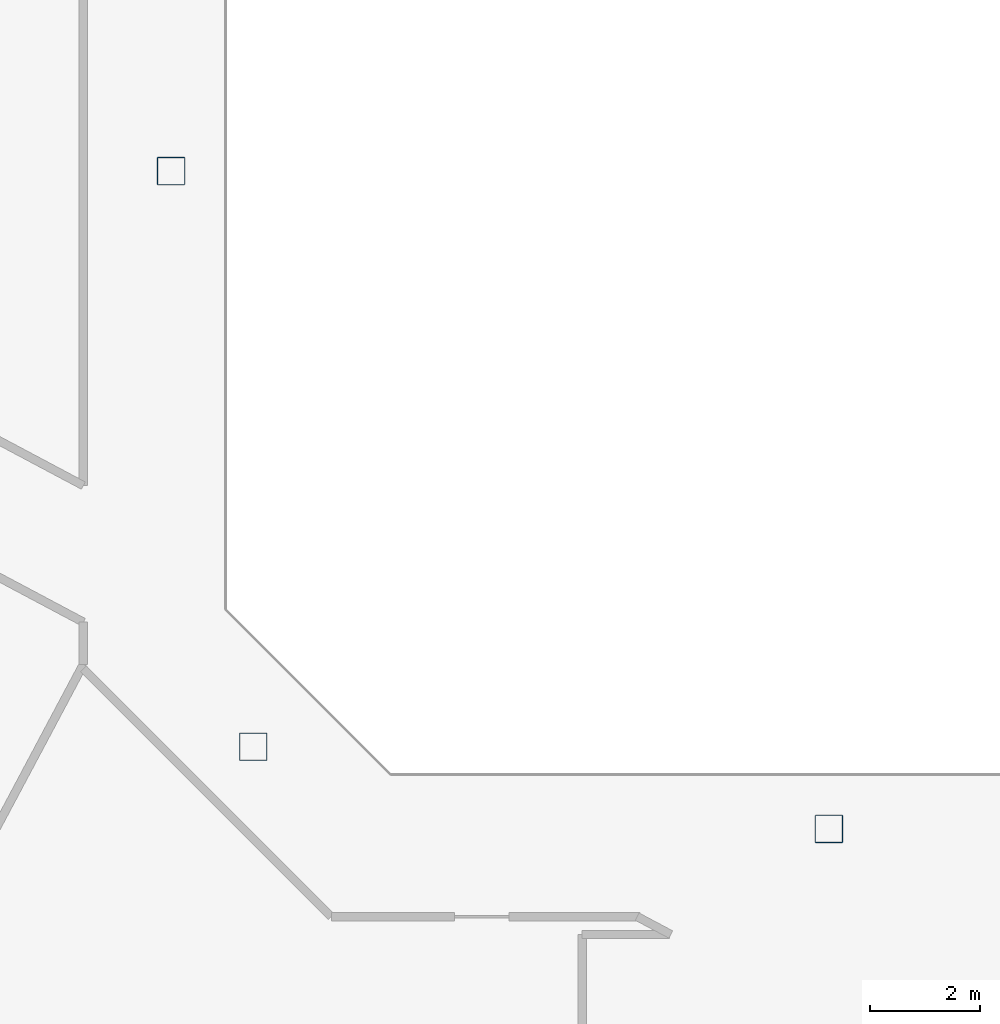
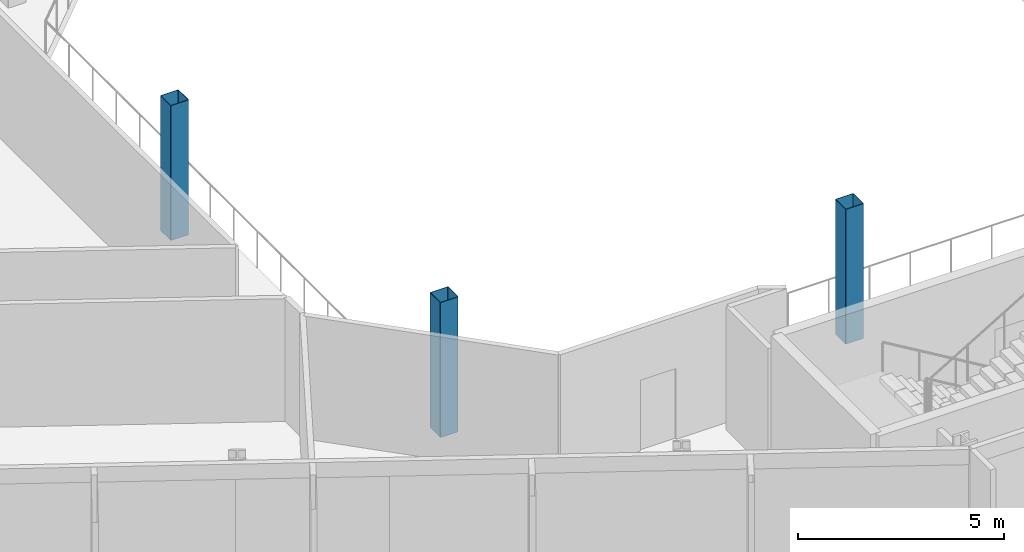
# One storey, part 2 of 28: 3 columns.
"""IFC4 building model written with IfcOpenShell, lengths in metres."""

from ifc_helpers import new_model, si_unit, direction, frame, origin, origin_2d, place, context, subcontext, project, spatial, hollow_rectangle, extrude, material, material_profile, profile_set, type_object, element, save


model = new_model("IFC4")

# Units and contexts
model_context = context("Model", 3, precision=1e-05, world=origin(), true_north=direction((0.0, 1.0)))
body_context = subcontext(model_context, "Body", "Model", "MODEL_VIEW")
ifc_project = project(units=[si_unit("LENGTHUNIT", "METRE"), si_unit("AREAUNIT", "SQUARE_METRE"), si_unit("VOLUMEUNIT", "CUBIC_METRE"), si_unit("PLANEANGLEUNIT", "RADIAN"), si_unit("MASSUNIT", "GRAM", prefix="KILO")], contexts=[model_context])

# Site, building, storey
site_placement = place(None, origin())
site = spatial("IfcSite", under=ifc_project, at=site_placement, CompositionType="ELEMENT")
building_placement = place(site_placement, origin())
building = spatial("IfcBuilding", under=site, at=building_placement, Name="Cormorant Relay Tower", CompositionType="ELEMENT")
storey_placement = place(building_placement, frame((0.0, 0.0, 146.199951171875)))
storey = spatial("IfcBuildingStorey", under=building, at=storey_placement, Name="L30", CompositionType="ELEMENT", Elevation=146.199951171875)

# Columns
ifc_material = material(Name="Steel ASTM A500 Grade C (Fy 345 MPa)", Category="steel")
ifc_material_profile = material_profile(ifc_material, hollow_rectangle(XDim=0.508056640625, YDim=0.508056640625, WallThickness=0.01171875, InnerFilletRadius=0.005859375, OuterFilletRadius=0.017822265625, at=origin_2d()), Name="HSS508x508x12")
ifc_profile_set = profile_set([ifc_material_profile], Name="Steel ASTM A500 Grade C (Fy 345 MPa)")
column_type = type_object("IfcColumnType", Name="Column HSS508x508x12", PredefinedType="COLUMN", material=ifc_profile_set)
for number, where, z_axis, x_axis, name in (
    (1, (0.0, -12.0, 0.0), (0.0, 0.0, 1.0), (1.0, 0.0, 0.0), "Column L30-007"),
    (2, (-10.5, -10.5, 0.0), (0.0, 0.0, 1.0), (1.0, 0.0, 0.0), "Column L30-009"),
    (3, (-12.0, 0.0, 0.0), (0.0, 0.0, 1.0), (1.0, 0.0, 0.0), "Column L30-015"),
):
    element("IfcColumn", number, at=place(storey_placement, frame(where, z_axis=z_axis, x_axis=x_axis)), inside=storey, type_object=column_type, Name=name, PredefinedType="COLUMN", context=body_context, shape_type="SweptSolid", body=[
        extrude(hollow_rectangle(XDim=0.508056640625, YDim=0.508056640625, WallThickness=0.01171875, InnerFilletRadius=0.005859375, OuterFilletRadius=0.017822265625, at=origin_2d()), origin(), (0.0, 0.0, 1.0), 4.0),
    ])

save(model, "model.ifc")
